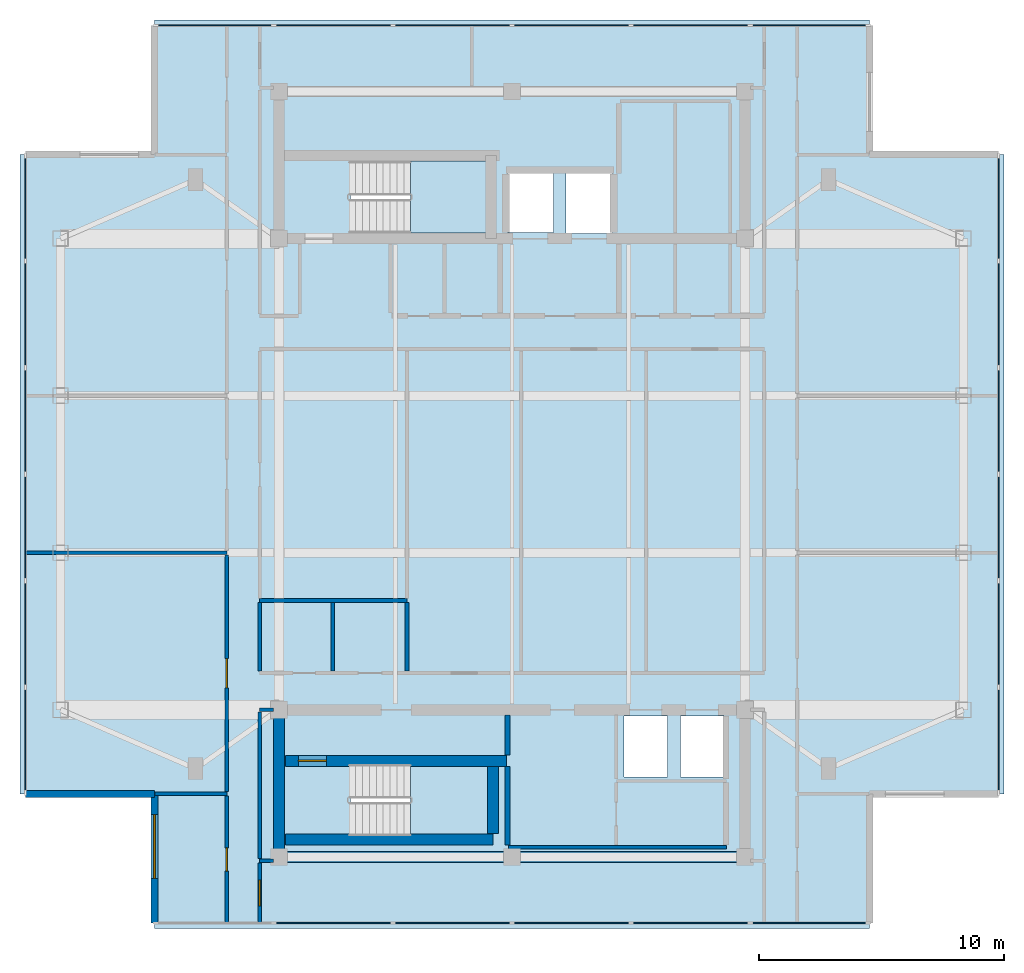
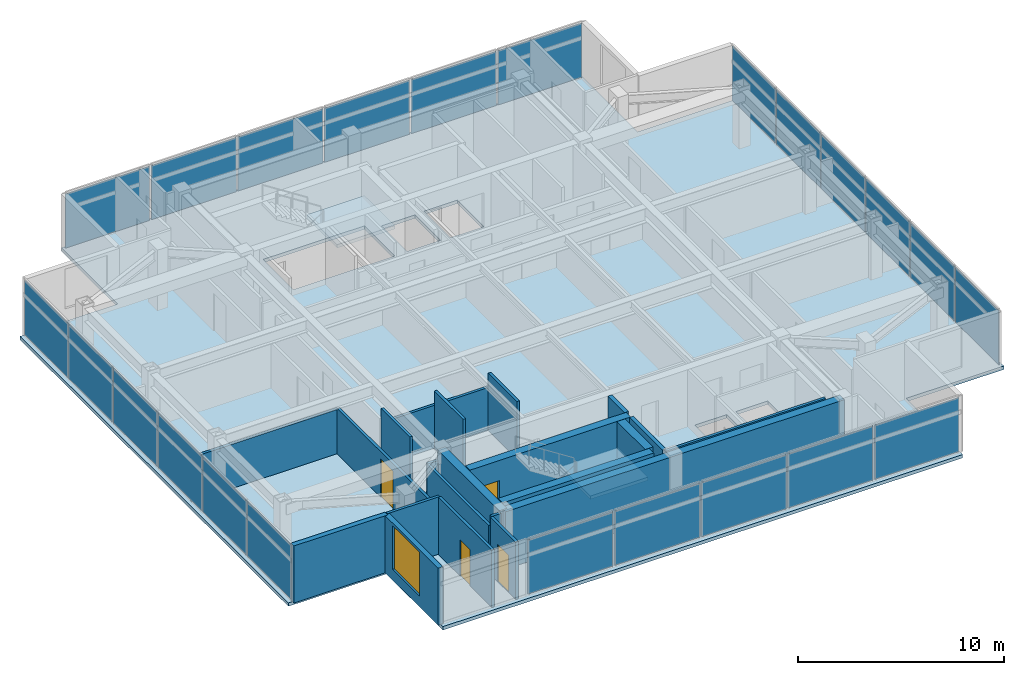
# One storey, part 4 of 10: 23 plates, 22 walls, 4 doors, 3 slabs, 1 window, 5 openings, 6 elements without a shape of their own.
"""IFC4 building model written with IfcOpenShell, lengths in metres."""

from ifc_helpers import new_model, si_unit, direction, frame, frame_2d, origin, origin_2d, place, context, subcontext, project, spatial, polyline, rectangle, outline, extrude, material, layer, layer_set, type_object, element, fill, aggregate, save


model = new_model("IFC4")

# Units and contexts
model_context = context("Model", 3, precision=1e-05, world=origin(), true_north=direction((0.0, 1.0)))
body_context = subcontext(model_context, "Body", "Model", "MODEL_VIEW")
ifc_project = project(units=[si_unit("LENGTHUNIT", "METRE"), si_unit("AREAUNIT", "SQUARE_METRE"), si_unit("VOLUMEUNIT", "CUBIC_METRE"), si_unit("PLANEANGLEUNIT", "RADIAN"), si_unit("MASSUNIT", "GRAM", prefix="KILO")], contexts=[model_context])

# Site, building, storey
site_placement = place(None, origin())
site = spatial("IfcSite", under=ifc_project, at=site_placement, CompositionType="ELEMENT")
building_placement = place(site_placement, origin())
building = spatial("IfcBuilding", under=site, at=building_placement, Name="Mirazonda Arch Towers", CompositionType="ELEMENT")
storey_placement = place(building_placement, frame((0.0, 0.0, 249.10009765625)))
storey = spatial("IfcBuildingStorey", under=building, at=storey_placement, Name="L71", CompositionType="ELEMENT", Elevation=249.10009765625)

# Curtain wall, plates
ifc_material_1 = material(Name="Anodised Aluminium and Low-E Glass", Category="aluminium")
curtain_wall_type = type_object("IfcCurtainWallType", Name="CW-OBS-LANTERN", PredefinedType="NOTDEFINED", material=ifc_material_1)
curtain_wall_1_placement = place(storey_placement, origin())
curtain_wall_1 = element("IfcCurtainWall", 1, at=curtain_wall_1_placement, inside=storey, type_object=curtain_wall_type, Name="L71 T1 S Facade CW-L71-T1-S", PredefinedType="NOTDEFINED")
ifc_material_2 = material(Name="Insulated Low-E Solar Glass", Category="glass")
ifc_layer_1 = layer(ifc_material_2, 0.048095703125, Name="PAN-CW-OBS-LANTERN")
ifc_layer_set_1 = layer_set([ifc_layer_1], Name="Insulated Low-E Solar Glass")
plate_type = type_object("IfcPlateType", Name="PAN-CW-OBS-LANTERN", PredefinedType="CURTAIN_PANEL", material=ifc_layer_set_1)
plate_1_placement = place(storey_placement, frame((32.614990234375, 9.7099609375, 0.08984375), z_axis=(0.0, 0.0, 1.0), x_axis=(-1.0, 0.0, 0.0)))
plate_1 = element("IfcPlate", 2, at=plate_1_placement, type_object=plate_type, Name="CW-110 panel 1.1", PredefinedType="CURTAIN_PANEL", context=body_context, shape_type="SweptSolid", body=[
    extrude(rectangle(XDim=4.719970703125, YDim=0.048095703125, at=origin_2d()), origin(), (0.0, 0.0, 1.0), 3.199951171875),
])
plate_2_placement = place(storey_placement, frame((27.782470703125, 9.7099609375, 0.08984375), z_axis=(0.0, 0.0, 1.0), x_axis=(-1.0, 0.0, 0.0)))
plate_2 = element("IfcPlate", 3, at=plate_2_placement, type_object=plate_type, Name="CW-110 panel 2.1", PredefinedType="CURTAIN_PANEL", context=body_context, shape_type="SweptSolid", body=[
    extrude(rectangle(XDim=4.764892578125, YDim=0.048095703125, at=origin_2d()), origin(), (0.0, 0.0, 1.0), 3.199951171875),
])
plate_3_placement = place(storey_placement, frame((22.927490234375, 9.7099609375, 0.08984375), z_axis=(0.0, 0.0, 1.0), x_axis=(-1.0, 0.0, 0.0)))
plate_3 = element("IfcPlate", 4, at=plate_3_placement, type_object=plate_type, Name="CW-110 panel 3.1", PredefinedType="CURTAIN_PANEL", context=body_context, shape_type="SweptSolid", body=[
    extrude(rectangle(XDim=4.764892578125, YDim=0.048095703125, at=origin_2d()), origin(), (0.0, 0.0, 1.0), 3.199951171875),
])
plate_4_placement = place(storey_placement, frame((18.072509765625, 9.7099609375, 0.08984375), z_axis=(0.0, 0.0, 1.0), x_axis=(-1.0, 0.0, 0.0)))
plate_4 = element("IfcPlate", 5, at=plate_4_placement, type_object=plate_type, Name="CW-110 panel 4.1", PredefinedType="CURTAIN_PANEL", context=body_context, shape_type="SweptSolid", body=[
    extrude(rectangle(XDim=4.764892578125, YDim=0.048095703125, at=origin_2d()), origin(), (0.0, 0.0, 1.0), 3.199951171875),
])
plate_5_placement = place(storey_placement, frame((13.217529296875, 9.7099609375, 0.08984375), z_axis=(0.0, 0.0, 1.0), x_axis=(-1.0, 0.0, 0.0)))
plate_5 = element("IfcPlate", 6, at=plate_5_placement, type_object=plate_type, Name="CW-110 panel 5.1", PredefinedType="CURTAIN_PANEL", context=body_context, shape_type="SweptSolid", body=[
    extrude(rectangle(XDim=4.764892578125, YDim=0.048095703125, at=origin_2d()), origin(), (0.0, 0.0, 1.0), 3.199951171875),
])
aggregate(curtain_wall_1, [plate_1, plate_2, plate_3, plate_4, plate_5])

curtain_wall_2_placement = place(storey_placement, origin())
curtain_wall_2 = element("IfcCurtainWall", 7, at=curtain_wall_2_placement, inside=storey, type_object=curtain_wall_type, Name="L71 T1 E Facade CW-L71-T1-E", PredefinedType="NOTDEFINED")
plate_6_placement = place(storey_placement, frame((40.330078125, 17.168212890625, 0.08984375), z_axis=(0.0, 0.0, 1.0), x_axis=(0.0, 1.0, 0.0)))
plate_6 = element("IfcPlate", 8, at=plate_6_placement, type_object=plate_type, Name="CW-110 panel 1.1", PredefinedType="CURTAIN_PANEL", context=body_context, shape_type="SweptSolid", body=[
    extrude(rectangle(XDim=4.206787109375, YDim=0.048095703125, at=origin_2d()), origin(), (0.0, 0.0, 1.0), 3.199951171875),
])
plate_7_placement = place(storey_placement, frame((40.330078125, 21.487548828125, 0.08984375), z_axis=(0.0, 0.0, 1.0), x_axis=(0.0, 1.0, 0.0)))
plate_7 = element("IfcPlate", 9, at=plate_7_placement, type_object=plate_type, Name="CW-110 panel 2.1", PredefinedType="CURTAIN_PANEL", context=body_context, shape_type="SweptSolid", body=[
    extrude(rectangle(XDim=4.251708984375, YDim=0.048095703125, at=origin_2d()), origin(), (0.0, 0.0, 1.0), 3.199951171875),
])
plate_8_placement = place(storey_placement, frame((40.330078125, 25.8291015625, 0.08984375), z_axis=(0.0, 0.0, 1.0), x_axis=(0.0, 1.0, 0.0)))
plate_8 = element("IfcPlate", 10, at=plate_8_placement, type_object=plate_type, Name="CW-110 panel 3.1", PredefinedType="CURTAIN_PANEL", context=body_context, shape_type="SweptSolid", body=[
    extrude(rectangle(XDim=4.251708984375, YDim=0.048095703125, at=origin_2d()), origin(), (0.0, 0.0, 1.0), 3.199951171875),
])
plate_9_placement = place(storey_placement, frame((40.330078125, 30.1708984375, 0.08984375), z_axis=(0.0, 0.0, 1.0), x_axis=(0.0, 1.0, 0.0)))
plate_9 = element("IfcPlate", 11, at=plate_9_placement, type_object=plate_type, Name="CW-110 panel 4.1", PredefinedType="CURTAIN_PANEL", context=body_context, shape_type="SweptSolid", body=[
    extrude(rectangle(XDim=4.251708984375, YDim=0.048095703125, at=origin_2d()), origin(), (0.0, 0.0, 1.0), 3.199951171875),
])
plate_10_placement = place(storey_placement, frame((40.330078125, 34.512451171875, 0.08984375), z_axis=(0.0, 0.0, 1.0), x_axis=(0.0, 1.0, 0.0)))
plate_10 = element("IfcPlate", 12, at=plate_10_placement, type_object=plate_type, Name="CW-110 panel 5.1", PredefinedType="CURTAIN_PANEL", context=body_context, shape_type="SweptSolid", body=[
    extrude(rectangle(XDim=4.251708984375, YDim=0.048095703125, at=origin_2d()), origin(), (0.0, 0.0, 1.0), 3.199951171875),
])
plate_11_placement = place(storey_placement, frame((40.330078125, 38.831787109375, 0.08984375), z_axis=(0.0, 0.0, 1.0), x_axis=(0.0, 1.0, 0.0)))
plate_11 = element("IfcPlate", 13, at=plate_11_placement, type_object=plate_type, Name="CW-110 panel 6.1", PredefinedType="CURTAIN_PANEL", context=body_context, shape_type="SweptSolid", body=[
    extrude(rectangle(XDim=4.206787109375, YDim=0.048095703125, at=origin_2d()), origin(), (0.0, 0.0, 1.0), 3.199951171875),
])
aggregate(curtain_wall_2, [plate_6, plate_7, plate_8, plate_9, plate_10, plate_11])

curtain_wall_3_placement = place(storey_placement, origin())
curtain_wall_3 = element("IfcCurtainWall", 14, at=curtain_wall_3_placement, inside=storey, type_object=curtain_wall_type, Name="L71 T1 N Facade CW-L71-T1-N", PredefinedType="NOTDEFINED")
plate_12_placement = place(storey_placement, frame((8.385009765625, 46.2900390625, 0.08984375), z_axis=(0.0, 0.0, 1.0), x_axis=(1.0, 0.0, 0.0)))
plate_12 = element("IfcPlate", 15, at=plate_12_placement, type_object=plate_type, Name="CW-110 panel 1.1", PredefinedType="CURTAIN_PANEL", context=body_context, shape_type="SweptSolid", body=[
    extrude(rectangle(XDim=4.719970703125, YDim=0.048095703125, at=origin_2d()), origin(), (0.0, 0.0, 1.0), 3.199951171875),
])
plate_13_placement = place(storey_placement, frame((13.217529296875, 46.2900390625, 0.08984375), z_axis=(0.0, 0.0, 1.0), x_axis=(1.0, 0.0, 0.0)))
plate_13 = element("IfcPlate", 16, at=plate_13_placement, type_object=plate_type, Name="CW-110 panel 2.1", PredefinedType="CURTAIN_PANEL", context=body_context, shape_type="SweptSolid", body=[
    extrude(rectangle(XDim=4.764892578125, YDim=0.048095703125, at=origin_2d()), origin(), (0.0, 0.0, 1.0), 3.199951171875),
])
plate_14_placement = place(storey_placement, frame((18.072509765625, 46.2900390625, 0.08984375), z_axis=(0.0, 0.0, 1.0), x_axis=(1.0, 0.0, 0.0)))
plate_14 = element("IfcPlate", 17, at=plate_14_placement, type_object=plate_type, Name="CW-110 panel 3.1", PredefinedType="CURTAIN_PANEL", context=body_context, shape_type="SweptSolid", body=[
    extrude(rectangle(XDim=4.764892578125, YDim=0.048095703125, at=origin_2d()), origin(), (0.0, 0.0, 1.0), 3.199951171875),
])
plate_15_placement = place(storey_placement, frame((22.927490234375, 46.2900390625, 0.08984375), z_axis=(0.0, 0.0, 1.0), x_axis=(1.0, 0.0, 0.0)))
plate_15 = element("IfcPlate", 18, at=plate_15_placement, type_object=plate_type, Name="CW-110 panel 4.1", PredefinedType="CURTAIN_PANEL", context=body_context, shape_type="SweptSolid", body=[
    extrude(rectangle(XDim=4.764892578125, YDim=0.048095703125, at=origin_2d()), origin(), (0.0, 0.0, 1.0), 3.199951171875),
])
plate_16_placement = place(storey_placement, frame((27.782470703125, 46.2900390625, 0.08984375), z_axis=(0.0, 0.0, 1.0), x_axis=(1.0, 0.0, 0.0)))
plate_16 = element("IfcPlate", 19, at=plate_16_placement, type_object=plate_type, Name="CW-110 panel 5.1", PredefinedType="CURTAIN_PANEL", context=body_context, shape_type="SweptSolid", body=[
    extrude(rectangle(XDim=4.764892578125, YDim=0.048095703125, at=origin_2d()), origin(), (0.0, 0.0, 1.0), 3.199951171875),
])
plate_17_placement = place(storey_placement, frame((32.614990234375, 46.2900390625, 0.08984375), z_axis=(0.0, 0.0, 1.0), x_axis=(1.0, 0.0, 0.0)))
plate_17 = element("IfcPlate", 20, at=plate_17_placement, type_object=plate_type, Name="CW-110 panel 6.1", PredefinedType="CURTAIN_PANEL", context=body_context, shape_type="SweptSolid", body=[
    extrude(rectangle(XDim=4.719970703125, YDim=0.048095703125, at=origin_2d()), origin(), (0.0, 0.0, 1.0), 3.199951171875),
])
aggregate(curtain_wall_3, [plate_12, plate_13, plate_14, plate_15, plate_16, plate_17])

curtain_wall_4_placement = place(storey_placement, origin())
curtain_wall_4 = element("IfcCurtainWall", 21, at=curtain_wall_4_placement, inside=storey, type_object=curtain_wall_type, Name="L71 T1 W Facade CW-L71-T1-W", PredefinedType="NOTDEFINED")
plate_18_placement = place(storey_placement, frame((0.669921875, 38.831787109375, 0.08984375), z_axis=(0.0, 0.0, 1.0), x_axis=(0.0, -1.0, 0.0)))
plate_18 = element("IfcPlate", 22, at=plate_18_placement, type_object=plate_type, Name="CW-110 panel 1.1", PredefinedType="CURTAIN_PANEL", context=body_context, shape_type="SweptSolid", body=[
    extrude(rectangle(XDim=4.206787109375, YDim=0.048095703125, at=origin_2d()), origin(), (0.0, 0.0, 1.0), 3.199951171875),
])
plate_19_placement = place(storey_placement, frame((0.669921875, 34.512451171875, 0.08984375), z_axis=(0.0, 0.0, 1.0), x_axis=(0.0, -1.0, 0.0)))
plate_19 = element("IfcPlate", 23, at=plate_19_placement, type_object=plate_type, Name="CW-110 panel 2.1", PredefinedType="CURTAIN_PANEL", context=body_context, shape_type="SweptSolid", body=[
    extrude(rectangle(XDim=4.251708984375, YDim=0.048095703125, at=origin_2d()), origin(), (0.0, 0.0, 1.0), 3.199951171875),
])
plate_20_placement = place(storey_placement, frame((0.669921875, 30.1708984375, 0.08984375), z_axis=(0.0, 0.0, 1.0), x_axis=(0.0, -1.0, 0.0)))
plate_20 = element("IfcPlate", 24, at=plate_20_placement, type_object=plate_type, Name="CW-110 panel 3.1", PredefinedType="CURTAIN_PANEL", context=body_context, shape_type="SweptSolid", body=[
    extrude(rectangle(XDim=4.251708984375, YDim=0.048095703125, at=origin_2d()), origin(), (0.0, 0.0, 1.0), 3.199951171875),
])
plate_21_placement = place(storey_placement, frame((0.669921875, 25.8291015625, 0.08984375), z_axis=(0.0, 0.0, 1.0), x_axis=(0.0, -1.0, 0.0)))
plate_21 = element("IfcPlate", 25, at=plate_21_placement, type_object=plate_type, Name="CW-110 panel 4.1", PredefinedType="CURTAIN_PANEL", context=body_context, shape_type="SweptSolid", body=[
    extrude(rectangle(XDim=4.251708984375, YDim=0.048095703125, at=origin_2d()), origin(), (0.0, 0.0, 1.0), 3.199951171875),
])
plate_22_placement = place(storey_placement, frame((0.669921875, 21.487548828125, 0.08984375), z_axis=(0.0, 0.0, 1.0), x_axis=(0.0, -1.0, 0.0)))
plate_22 = element("IfcPlate", 26, at=plate_22_placement, type_object=plate_type, Name="CW-110 panel 5.1", PredefinedType="CURTAIN_PANEL", context=body_context, shape_type="SweptSolid", body=[
    extrude(rectangle(XDim=4.251708984375, YDim=0.048095703125, at=origin_2d()), origin(), (0.0, 0.0, 1.0), 3.199951171875),
])
plate_23_placement = place(storey_placement, frame((0.669921875, 17.168212890625, 0.08984375), z_axis=(0.0, 0.0, 1.0), x_axis=(0.0, -1.0, 0.0)))
plate_23 = element("IfcPlate", 27, at=plate_23_placement, type_object=plate_type, Name="CW-110 panel 6.1", PredefinedType="CURTAIN_PANEL", context=body_context, shape_type="SweptSolid", body=[
    extrude(rectangle(XDim=4.206787109375, YDim=0.048095703125, at=origin_2d()), origin(), (0.0, 0.0, 1.0), 3.199951171875),
])
aggregate(curtain_wall_4, [plate_18, plate_19, plate_20, plate_21, plate_22, plate_23])

# Stair, slab
ifc_material_3 = material(Name="Concrete C40/50", Category="concrete")
stair_type = type_object("IfcStairType", Name="STAIR-CORE-1400", PredefinedType="HALF_TURN_STAIR", material=ifc_material_3)
stair_1_placement = place(storey_placement, origin())
stair_1 = element("IfcStair", 28, at=stair_1_placement, inside=storey, type_object=stair_type, Name="L71 Protected Exit Stair ST-T1N", PredefinedType="HALF_TURN_STAIR")
ifc_layer_2 = layer(ifc_material_3, 0.18994140625, Name="SLAB-LANDING-190")
ifc_layer_set_2 = layer_set([ifc_layer_2], Name="Concrete C40/50")
slab_type_1 = type_object("IfcSlabType", Name="SLAB-LANDING-190", PredefinedType="LANDING", material=ifc_layer_set_2)
slab_1_placement = place(storey_placement, frame((0.0, 0.0, 1.599853515625)))
slab_1 = element("IfcSlab", 29, at=slab_1_placement, type_object=slab_type_1, Name="ST-T1N landing 1", PredefinedType="LANDING", context=body_context, shape_type="SweptSolid", body=[
    extrude(outline(polyline([(16.3701171875, 37.820068359375), (19.60009765625, 37.820068359375), (19.60009765625, 40.760009765625), (16.3701171875, 40.760009765625), (16.3701171875, 37.820068359375)])), origin(), (0.0, 0.0, 1.0), 0.199951171875),
])
aggregate(stair_1, [slab_1])

stair_2_placement = place(storey_placement, origin())
stair_2 = element("IfcStair", 30, at=stair_2_placement, inside=storey, type_object=stair_type, Name="L71 Protected Exit Stair ST-T1S", PredefinedType="HALF_TURN_STAIR")
slab_2_placement = place(storey_placement, frame((0.0, 0.0, 1.599853515625)))
slab_2 = element("IfcSlab", 31, at=slab_2_placement, type_object=slab_type_1, Name="ST-T1S landing 1", PredefinedType="LANDING", context=body_context, shape_type="SweptSolid", body=[
    extrude(outline(polyline([(16.3701171875, 13.25), (19.60009765625, 13.25), (19.60009765625, 16.18994140625), (16.3701171875, 16.18994140625), (16.3701171875, 13.25)])), origin(), (0.0, 0.0, 1.0), 0.199951171875),
])
aggregate(stair_2, [slab_2])

# Slab
ifc_layer_3 = layer(ifc_material_3, 0.199951171875, Name="SLAB-TWR-200")
ifc_layer_set_3 = layer_set([ifc_layer_3], Name="Concrete C40/50")
slab_type_2 = type_object("IfcSlabType", Name="SLAB-TWR-200", PredefinedType="FLOOR", material=ifc_layer_set_3)
slab_3_placement = place(storey_placement, frame((0.0, 0.0, -0.2001953125)))
element("IfcSlab", 32, at=slab_3_placement, inside=storey, type_object=slab_type_2, Name="L71 Tower 1 Floor Slab", PredefinedType="FLOOR", context=body_context, shape_type="SweptSolid", body=[
    extrude(outline(polyline([(5.93505859375, 9.489990234375), (35.06494140625, 9.489990234375), (35.06494140625, 14.97509765625), (40.550048828125, 14.97509765625), (40.550048828125, 41.02490234375), (35.06494140625, 41.02490234375), (35.06494140625, 46.510009765625), (5.93505859375, 46.510009765625), (5.93505859375, 41.02490234375), (0.449951171875, 41.02490234375), (0.449951171875, 14.97509765625), (5.93505859375, 14.97509765625), (5.93505859375, 9.489990234375)]), holes=[polyline([(27.360107421875, 18.139892578125), (29.139892578125, 18.139892578125), (29.139892578125, 15.659912109375), (27.360107421875, 15.659912109375), (27.360107421875, 18.139892578125)]), polyline([(25.06005859375, 18.139892578125), (26.840087890625, 18.139892578125), (26.840087890625, 15.659912109375), (25.06005859375, 15.659912109375), (25.06005859375, 18.139892578125)]), polyline([(22.7099609375, 40.389892578125), (24.590087890625, 40.389892578125), (24.590087890625, 37.81005859375), (22.7099609375, 37.81005859375), (22.7099609375, 40.389892578125)]), polyline([(20.31005859375, 37.860107421875), (20.31005859375, 40.340087890625), (22.18994140625, 40.340087890625), (22.18994140625, 37.860107421875), (20.31005859375, 37.860107421875)]), polyline([(19.60009765625, 13.25), (13.925048828125, 13.25), (13.925048828125, 16.18994140625), (19.60009765625, 16.18994140625), (19.60009765625, 13.25)]), polyline([(13.925048828125, 37.820068359375), (13.925048828125, 40.760009765625), (19.60009765625, 40.760009765625), (19.60009765625, 37.820068359375), (13.925048828125, 37.820068359375)])]), origin(), (0.0, 0.0, 1.0), 0.2001953125),
])

# Walls
ifc_material_4 = material(Name="Concrete C50/60", Category="concrete")
ifc_layer_4 = layer(ifc_material_4, 0.449951171875, Name="WALL-CORE-450")
ifc_layer_set_4 = layer_set([ifc_layer_4], Name="Concrete C50/60")
wall_type_1 = type_object("IfcWallType", Name="WALL-CORE-450", PredefinedType="SHEAR", material=ifc_layer_set_4)
wall_1_placement = place(storey_placement, frame((11.0, 12.39990234375, 0.0), z_axis=(0.0, 0.0, 1.0), x_axis=(1.0, 0.0, 0.0)))
element("IfcWall", 33, at=wall_1_placement, inside=storey, type_object=wall_type_1, Name="L71 T1S-S Core Shear Wall", PredefinedType="SHEAR", context=body_context, shape_type="SweptSolid", body=[
    extrude(rectangle(XDim=19.0, YDim=0.449951171875, at=frame_2d((9.5, 0.0))), origin(), (0.0, 0.0, 1.0), 3.39990234375),
])
wall_2_placement = place(storey_placement, frame((11.0, 12.39990234375, 0.0), z_axis=(0.0, 0.0, 1.0), x_axis=(0.0, 1.0, 0.0)))
element("IfcWall", 34, at=wall_2_placement, inside=storey, type_object=wall_type_1, Name="L71 T1S-W Core Shear Wall", PredefinedType="SHEAR", context=body_context, shape_type="SweptSolid", body=[
    extrude(rectangle(XDim=6.0, YDim=0.449951171875, at=frame_2d((3.0, 0.0))), origin(), (0.0, 0.0, 1.0), 3.39990234375),
])
wall_3_placement = place(storey_placement, frame((11.27001953125, 13.1201171875, 0.0), z_axis=(0.0, 0.0, 1.0), x_axis=(1.0, 0.0, 0.0)))
element("IfcWall", 35, at=wall_3_placement, inside=storey, type_object=wall_type_1, Name="L71 Stair Core Shear Wall 004", PredefinedType="SHEAR", context=body_context, shape_type="SweptSolid", body=[
    extrude(rectangle(XDim=8.4599609375, YDim=0.449951171875, at=frame_2d((4.22998046875, 0.0))), origin(), (0.0, 0.0, 1.0), 3.39990234375),
])

# Wall, opening, door
wall_4_placement = place(storey_placement, frame((11.27001953125, 16.320068359375, 0.0), z_axis=(0.0, 0.0, 1.0), x_axis=(1.0, 0.0, 0.0)))
wall_4 = element("IfcWall", 36, at=wall_4_placement, inside=storey, type_object=wall_type_1, Name="L71 Stair Core Shear Wall 008", PredefinedType="SHEAR", context=body_context, shape_type="SweptSolid", body=[
    extrude(rectangle(XDim=9.010009765625, YDim=0.449951171875, at=frame_2d((4.5048828125, 0.0))), origin(), (0.0, 0.0, 1.0), 3.39990234375),
])
opening_1_placement = place(wall_4_placement, frame((0.52001953125, 0.0, 0.0)))
opening_1 = element("IfcOpeningElement", 37, at=opening_1_placement, cuts=wall_4, Name="Opening DR-135", PredefinedType="OPENING", context=body_context, shape_type="SweptSolid", body=[
    extrude(rectangle(XDim=1.14990234375, YDim=2.199951171875, at=frame_2d((0.574951171875, 1.10009765625))), frame((0.0, 0.23486328125, 0.0), z_axis=(0.0, -1.0, 0.0), x_axis=(1.0, 0.0, 0.0)), (0.0, 0.0, 1.0), 0.469970703125),
])
ifc_material_5 = material(Name="Architectural Brushed Steel S355", Category="steel")
door_type_1 = type_object("IfcDoorType", Name="DOOR-STAIR-FD90-1150", OperationType="NOTDEFINED", PredefinedType="DOOR", material=ifc_material_5)
door_1_placement = place(opening_1_placement, origin())
door_1 = element("IfcDoor", 38, at=door_1_placement, inside=storey, type_object=door_type_1, Name="L71 Protected Exit Stair South Door", OperationType="SINGLE_SWING_RIGHT", OverallHeight=2.199951171875, OverallWidth=1.14990234375, PredefinedType="DOOR", context=body_context, shape_type="SweptSolid", body=[
    extrude(rectangle(XDim=1.14990234375, YDim=2.199951171875, at=frame_2d((0.574951171875, 1.10009765625))), frame((0.0, 0.02490234375, 0.0), z_axis=(0.0, -1.0, 0.0), x_axis=(1.0, 0.0, 0.0)), (0.0, 0.0, 1.0), 0.050048828125),
])
fill(opening_1, door_1)

# Wall
wall_5_placement = place(storey_placement, frame((19.72998046875, 13.35498046875, 0.0), z_axis=(0.0, 0.0, 1.0), x_axis=(0.0, 1.0, 0.0)))
element("IfcWall", 39, at=wall_5_placement, inside=storey, type_object=wall_type_1, Name="L71 Stair Core Shear Wall 044", PredefinedType="SHEAR", context=body_context, shape_type="SweptSolid", body=[
    extrude(rectangle(XDim=2.72998046875, YDim=0.449951171875, at=frame_2d((1.364990234375, 0.0))), origin(), (0.0, 0.0, 1.0), 3.39990234375),
])

# Wall, opening, window
ifc_material_6 = material(Name="Precast Concrete C40/50", Category="concrete")
ifc_layer_5 = layer(ifc_material_6, 0.280029296875, Name="WALL-EXT-WALL-280")
ifc_layer_set_5 = layer_set([ifc_layer_5], Name="Precast Concrete C40/50")
wall_type_2 = type_object("IfcWallType", Name="WALL-EXT-WALL-280", PredefinedType="SOLIDWALL", material=ifc_layer_set_5)
wall_6_placement = place(storey_placement, frame((5.93505859375, 14.97509765625, 0.0), z_axis=(0.0, 0.0, 1.0), x_axis=(0.0, -1.0, 0.0)))
wall_6 = element("IfcWall", 40, at=wall_6_placement, inside=storey, type_object=wall_type_2, Name="L71 T1 Notched SW Corner Wall WL-L71-T1-CSW", PredefinedType="SOLIDWALL", context=body_context, shape_type="SweptSolid", body=[
    extrude(rectangle(XDim=5.26513671875, YDim=0.280029296875, at=frame_2d((2.632568359375, 0.0))), origin(), (0.0, 0.0, 1.0), 3.3798828125),
])
opening_2_placement = place(wall_6_placement, frame((0.85009765625, 0.0, 0.6298828125)))
opening_2 = element("IfcOpeningElement", 41, at=opening_2_placement, cuts=wall_6, Name="Opening WN-102", PredefinedType="OPENING", context=body_context, shape_type="SweptSolid", body=[
    extrude(rectangle(XDim=2.60009765625, YDim=2.60009765625, at=frame_2d((1.300048828125, 1.300048828125))), frame((0.0, 0.14990234375, 0.0), z_axis=(0.0, -1.0, 0.0), x_axis=(1.0, 0.0, 0.0)), (0.0, 0.0, 1.0), 0.300048828125),
])
window_type = type_object("IfcWindowType", Name="WIN-OBS-2600x2600", PartitioningType="SINGLE_PANEL", PredefinedType="WINDOW", material=ifc_material_2)
window_placement = place(opening_2_placement, origin())
window = element("IfcWindow", 42, at=window_placement, inside=storey, type_object=window_type, Name="L71 Punched Facade Window WN-L71-T1-CSW", OverallHeight=2.60009765625, OverallWidth=2.60009765625, PartitioningType="SINGLE_PANEL", PredefinedType="WINDOW", context=body_context, shape_type="SweptSolid", body=[
    extrude(rectangle(XDim=2.60009765625, YDim=2.60009765625, at=frame_2d((1.300048828125, 1.300048828125))), frame((0.0, 0.030029296875, 0.0), z_axis=(0.0, -1.0, 0.0), x_axis=(1.0, 0.0, 0.0)), (0.0, 0.0, 1.0), 0.06005859375),
])
fill(opening_2, window)

# Walls
wall_7_placement = place(storey_placement, frame((0.669921875, 14.97509765625, 0.0), z_axis=(0.0, 0.0, 1.0), x_axis=(1.0, 0.0, 0.0)))
element("IfcWall", 43, at=wall_7_placement, inside=storey, type_object=wall_type_2, Name="L71 T1 Corner Notch Return Wall WL-L71-T1-CSW2", PredefinedType="SOLIDWALL", context=body_context, shape_type="SweptSolid", body=[
    extrude(rectangle(XDim=5.26513671875, YDim=0.280029296875, at=frame_2d((2.632568359375, 0.0))), origin(), (0.0, 0.0, 1.0), 3.3798828125),
])
ifc_layer_6 = layer(ifc_material_3, 0.219970703125, Name="WALL-FFL-220")
ifc_layer_set_6 = layer_set([ifc_layer_6], Name="Concrete C40/50")
wall_type_3 = type_object("IfcWallType", Name="WALL-FFL-220", PredefinedType="SOLIDWALL", material=ifc_layer_set_6)
wall_8_placement = place(storey_placement, frame((20.31494140625, 12.885009765625, 0.0), z_axis=(0.0, 0.0, 1.0), x_axis=(0.0, 1.0, 0.0)))
element("IfcWall", 44, at=wall_8_placement, inside=storey, type_object=wall_type_3, Name="L71 Interior Partition 046", PredefinedType="SOLIDWALL", context=body_context, shape_type="SweptSolid", body=[
    extrude(rectangle(XDim=3.199951171875, YDim=0.219970703125, at=frame_2d((1.60009765625, 0.0))), origin(), (0.0, 0.0, 1.0), 3.39990234375),
])
wall_9_placement = place(storey_placement, frame((20.31494140625, 16.554931640625, 0.0), z_axis=(0.0, 0.0, 1.0), x_axis=(0.0, 1.0, 0.0)))
element("IfcWall", 45, at=wall_9_placement, inside=storey, type_object=wall_type_3, Name="L71 Interior Partition 047", PredefinedType="SOLIDWALL", context=body_context, shape_type="SweptSolid", body=[
    extrude(rectangle(XDim=1.625, YDim=0.219970703125, at=frame_2d((0.8125, 0.0))), origin(), (0.0, 0.0, 1.0), 3.39990234375),
])
ifc_material_7 = material(Name="Fire-Rated Gypsum Stud Partition")
ifc_layer_7 = layer(ifc_material_7, 0.14990234375, Name="WALL-PART-CORR-150")
ifc_layer_set_7 = layer_set([ifc_layer_7], Name="Fire-Rated Gypsum Stud Partition")
wall_type_4 = type_object("IfcWallType", Name="WALL-PART-CORR-150", PredefinedType="PARTITIONING", material=ifc_layer_set_7)
wall_10_placement = place(storey_placement, frame((10.219970703125, 12.25, 0.0), z_axis=(0.0, 0.0, 1.0), x_axis=(1.0, 0.0, 0.0)))
element("IfcWall", 46, at=wall_10_placement, inside=storey, type_object=wall_type_4, Name="L71 Interior Partition 001", PredefinedType="PARTITIONING", context=body_context, shape_type="SweptSolid", body=[
    extrude(rectangle(XDim=0.56005859375, YDim=0.14990234375, at=frame_2d((0.280029296875, 0.0))), origin(), (0.0, 0.0, 1.0), 3.39990234375),
])
wall_11_placement = place(storey_placement, frame((20.35009765625, 12.800048828125, 0.0), z_axis=(0.0, 0.0, 1.0), x_axis=(1.0, 0.0, 0.0)))
element("IfcWall", 47, at=wall_11_placement, inside=storey, type_object=wall_type_4, Name="L71 Interior Partition 003", PredefinedType="PARTITIONING", context=body_context, shape_type="SweptSolid", body=[
    extrude(rectangle(XDim=8.89990234375, YDim=0.14990234375, at=frame_2d((4.449951171875, 0.0))), origin(), (0.0, 0.0, 1.0), 3.39990234375),
])
wall_12_placement = place(storey_placement, frame((5.955078125, 14.97509765625, 0.0), z_axis=(0.0, 0.0, 1.0), x_axis=(1.0, 0.0, 0.0)))
element("IfcWall", 48, at=wall_12_placement, inside=storey, type_object=wall_type_4, Name="L71 Interior Partition 005", PredefinedType="PARTITIONING", context=body_context, shape_type="SweptSolid", body=[
    extrude(rectangle(XDim=2.9248046875, YDim=0.14990234375, at=frame_2d((1.46240234375, 0.0))), origin(), (0.0, 0.0, 1.0), 3.39990234375),
])
wall_13_placement = place(storey_placement, frame((10.219970703125, 18.39990234375, 0.0), z_axis=(0.0, 0.0, 1.0), x_axis=(1.0, 0.0, 0.0)))
element("IfcWall", 49, at=wall_13_placement, inside=storey, type_object=wall_type_4, Name="L71 Interior Partition 009", PredefinedType="PARTITIONING", context=body_context, shape_type="SweptSolid", body=[
    extrude(rectangle(XDim=0.56005859375, YDim=0.14990234375, at=frame_2d((0.280029296875, 0.0))), origin(), (0.0, 0.0, 1.0), 2.7919921875),
])
wall_14_placement = place(storey_placement, frame((10.219970703125, 22.85009765625, 0.0), z_axis=(0.0, 0.0, 1.0), x_axis=(1.0, 0.0, 0.0)))
element("IfcWall", 50, at=wall_14_placement, inside=storey, type_object=wall_type_4, Name="L71 Interior Partition 012", PredefinedType="PARTITIONING", context=body_context, shape_type="SweptSolid", body=[
    extrude(rectangle(XDim=6.0, YDim=0.14990234375, at=frame_2d((3.0, 0.0))), origin(), (0.0, 0.0, 1.0), 2.535888671875),
])
wall_15_placement = place(storey_placement, frame((0.669921875, 24.800048828125, 0.0), z_axis=(0.0, 0.0, 1.0), x_axis=(1.0, 0.0, 0.0)))
element("IfcWall", 51, at=wall_15_placement, inside=storey, type_object=wall_type_4, Name="L71 Interior Partition 013", PredefinedType="PARTITIONING", context=body_context, shape_type="SweptSolid", body=[
    extrude(rectangle(XDim=8.2099609375, YDim=0.14990234375, at=frame_2d((4.10498046875, 0.0))), origin(), (0.0, 0.0, 1.0), 2.618896484375),
])

# Wall, opening, door
wall_16_placement = place(storey_placement, frame((8.8798828125, 9.7099609375, 0.0), z_axis=(0.0, 0.0, 1.0), x_axis=(0.0, 1.0, 0.0)))
wall_16 = element("IfcWall", 52, at=wall_16_placement, inside=storey, type_object=wall_type_4, Name="L71 Interior Partition 026", PredefinedType="PARTITIONING", context=body_context, shape_type="SweptSolid", body=[
    extrude(rectangle(XDim=5.179931640625, YDim=0.14990234375, at=frame_2d((2.58984375, 0.0))), origin(), (0.0, 0.0, 1.0), 3.39990234375),
])
opening_3_placement = place(wall_16_placement, frame((2.114990234375, 0.0, 0.0)))
opening_3 = element("IfcOpeningElement", 53, at=opening_3_placement, cuts=wall_16, Name="Opening DR-104", PredefinedType="OPENING", context=body_context, shape_type="SweptSolid", body=[
    extrude(rectangle(XDim=0.949951171875, YDim=2.14990234375, at=frame_2d((0.47509765625, 1.074951171875))), frame((0.0, 0.0849609375, 0.0), z_axis=(0.0, -1.0, 0.0), x_axis=(1.0, 0.0, 0.0)), (0.0, 0.0, 1.0), 0.169921875),
])
door_type_2 = type_object("IfcDoorType", Name="DOOR-ROOM-950", OperationType="NOTDEFINED", PredefinedType="DOOR", material=ifc_material_5)
door_2_placement = place(opening_3_placement, origin())
door_2 = element("IfcDoor", 54, at=door_2_placement, inside=storey, type_object=door_type_2, Name="L71 South Lookout Salon Alcove West Door", OperationType="SINGLE_SWING_RIGHT", OverallHeight=2.14990234375, OverallWidth=0.949951171875, PredefinedType="DOOR", context=body_context, shape_type="SweptSolid", body=[
    extrude(rectangle(XDim=0.949951171875, YDim=2.14990234375, at=frame_2d((0.47509765625, 1.074951171875))), frame((0.0, 0.02490234375, 0.0), z_axis=(0.0, -1.0, 0.0), x_axis=(1.0, 0.0, 0.0)), (0.0, 0.0, 1.0), 0.050048828125),
])
fill(opening_3, door_2)

wall_17_placement = place(storey_placement, frame((8.8798828125, 15.06005859375, 0.0), z_axis=(0.0, 0.0, 1.0), x_axis=(0.0, 1.0, 0.0)))
wall_17 = element("IfcWall", 55, at=wall_17_placement, inside=storey, type_object=wall_type_4, Name="L71 Interior Partition 027", PredefinedType="PARTITIONING", context=body_context, shape_type="SweptSolid", body=[
    extrude(rectangle(XDim=9.655029296875, YDim=0.14990234375, at=frame_2d((4.82763671875, 0.0))), origin(), (0.0, 0.0, 1.0), 2.69580078125),
])
opening_4_placement = place(wall_17_placement, frame((4.2275390625, 0.0, 0.0)))
opening_4 = element("IfcOpeningElement", 56, at=opening_4_placement, cuts=wall_17, Name="Opening DR-117", PredefinedType="OPENING", context=body_context, shape_type="SweptSolid", body=[
    extrude(rectangle(XDim=1.199951171875, YDim=2.25, at=frame_2d((0.60009765625, 1.125))), frame((0.0, 0.0849609375, 0.0), z_axis=(0.0, -1.0, 0.0), x_axis=(1.0, 0.0, 0.0)), (0.0, 0.0, 1.0), 0.169921875),
])
door_type_3 = type_object("IfcDoorType", Name="DOOR-FFL-FD90-1200", OperationType="NOTDEFINED", PredefinedType="DOOR", material=ifc_material_5)
door_3_placement = place(opening_4_placement, origin())
door_3 = element("IfcDoor", 57, at=door_3_placement, inside=storey, type_object=door_type_3, Name="L71 Public Sky-Lookout & Observation Deck 1 Door", OperationType="SINGLE_SWING_RIGHT", OverallHeight=2.25, OverallWidth=1.199951171875, PredefinedType="DOOR", context=body_context, shape_type="SweptSolid", body=[
    extrude(rectangle(XDim=1.199951171875, YDim=2.25, at=frame_2d((0.60009765625, 1.125))), frame((0.0, 0.02490234375, 0.0), z_axis=(0.0, -1.0, 0.0), x_axis=(1.0, 0.0, 0.0)), (0.0, 0.0, 1.0), 0.050048828125),
])
fill(opening_4, door_3)

wall_18_placement = place(storey_placement, frame((10.219970703125, 9.7099609375, 0.0), z_axis=(0.0, 0.0, 1.0), x_axis=(0.0, 1.0, 0.0)))
wall_18 = element("IfcWall", 58, at=wall_18_placement, inside=storey, type_object=wall_type_4, Name="L71 Interior Partition 031", PredefinedType="PARTITIONING", context=body_context, shape_type="SweptSolid", body=[
    extrude(rectangle(XDim=2.455078125, YDim=0.14990234375, at=frame_2d((1.2275390625, 0.0))), origin(), (0.0, 0.0, 1.0), 3.39990234375),
])
opening_5_placement = place(wall_18_placement, frame((0.702392578125, 0.0, 0.0)))
opening_5 = element("IfcOpeningElement", 59, at=opening_5_placement, cuts=wall_18, Name="Opening DR-121", PredefinedType="OPENING", context=body_context, shape_type="SweptSolid", body=[
    extrude(rectangle(XDim=1.050048828125, YDim=2.199951171875, at=frame_2d((0.52490234375, 1.10009765625))), frame((0.0, 0.0849609375, 0.0), z_axis=(0.0, -1.0, 0.0), x_axis=(1.0, 0.0, 0.0)), (0.0, 0.0, 1.0), 0.169921875),
])
door_type_4 = type_object("IfcDoorType", Name="DOOR-SUITE-FD60-1050", OperationType="NOTDEFINED", PredefinedType="DOOR", material=ifc_material_5)
door_4_placement = place(opening_5_placement, origin())
door_4 = element("IfcDoor", 60, at=door_4_placement, inside=storey, type_object=door_type_4, Name="L71 South Lookout Salon Gallery Door", OperationType="SINGLE_SWING_LEFT", OverallHeight=2.199951171875, OverallWidth=1.050048828125, PredefinedType="DOOR", context=body_context, shape_type="SweptSolid", body=[
    extrude(rectangle(XDim=1.050048828125, YDim=2.199951171875, at=frame_2d((0.52490234375, 1.10009765625))), frame((0.0, 0.02490234375, 0.0), z_axis=(0.0, -1.0, 0.0), x_axis=(1.0, 0.0, 0.0)), (0.0, 0.0, 1.0), 0.050048828125),
])
fill(opening_5, door_4)

# Walls
wall_19_placement = place(storey_placement, frame((10.219970703125, 12.3349609375, 0.0), z_axis=(0.0, 0.0, 1.0), x_axis=(0.0, 1.0, 0.0)))
element("IfcWall", 61, at=wall_19_placement, inside=storey, type_object=wall_type_4, Name="L71 Interior Partition 032", PredefinedType="PARTITIONING", context=body_context, shape_type="SweptSolid", body=[
    extrude(rectangle(XDim=5.97998046875, YDim=0.14990234375, at=frame_2d((2.989990234375, 0.0))), origin(), (0.0, 0.0, 1.0), 2.7919921875),
])
for number, where, z_axis, x_axis, name in (
    (62, (10.219970703125, 19.985107421875, 0.0), (0.0, 0.0, 1.0), (0.0, 1.0, 0.0), "L71 Interior Partition 033"),
    (63, (13.199951171875, 19.985107421875, 0.0), (0.0, 0.0, 1.0), (0.0, 1.0, 0.0), "L71 Interior Partition 038"),
    (64, (16.219970703125, 19.985107421875, 0.0), (0.0, 0.0, 1.0), (0.0, 1.0, 0.0), "L71 Interior Partition 040"),
):
    element("IfcWall", number, at=place(storey_placement, frame(where, z_axis=z_axis, x_axis=x_axis)), inside=storey, type_object=wall_type_4, Name=name, PredefinedType="PARTITIONING", context=body_context, shape_type="SweptSolid", body=[
        extrude(rectangle(XDim=2.77978515625, YDim=0.14990234375, at=frame_2d((1.389892578125, 0.0))), origin(), (0.0, 0.0, 1.0), 3.39990234375),
    ])

save(model, "model.ifc")
